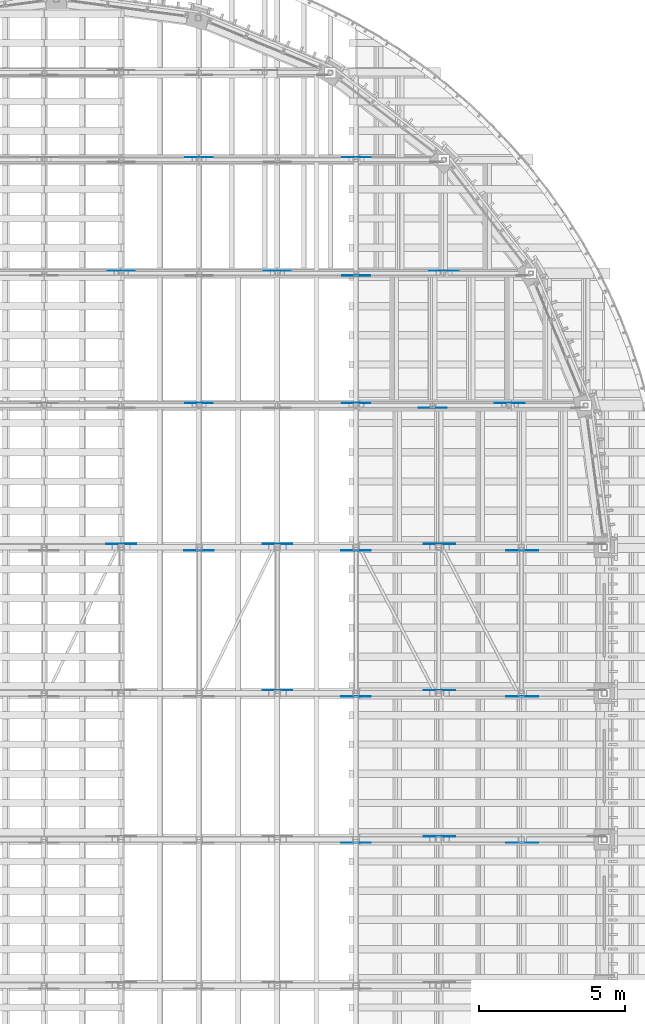
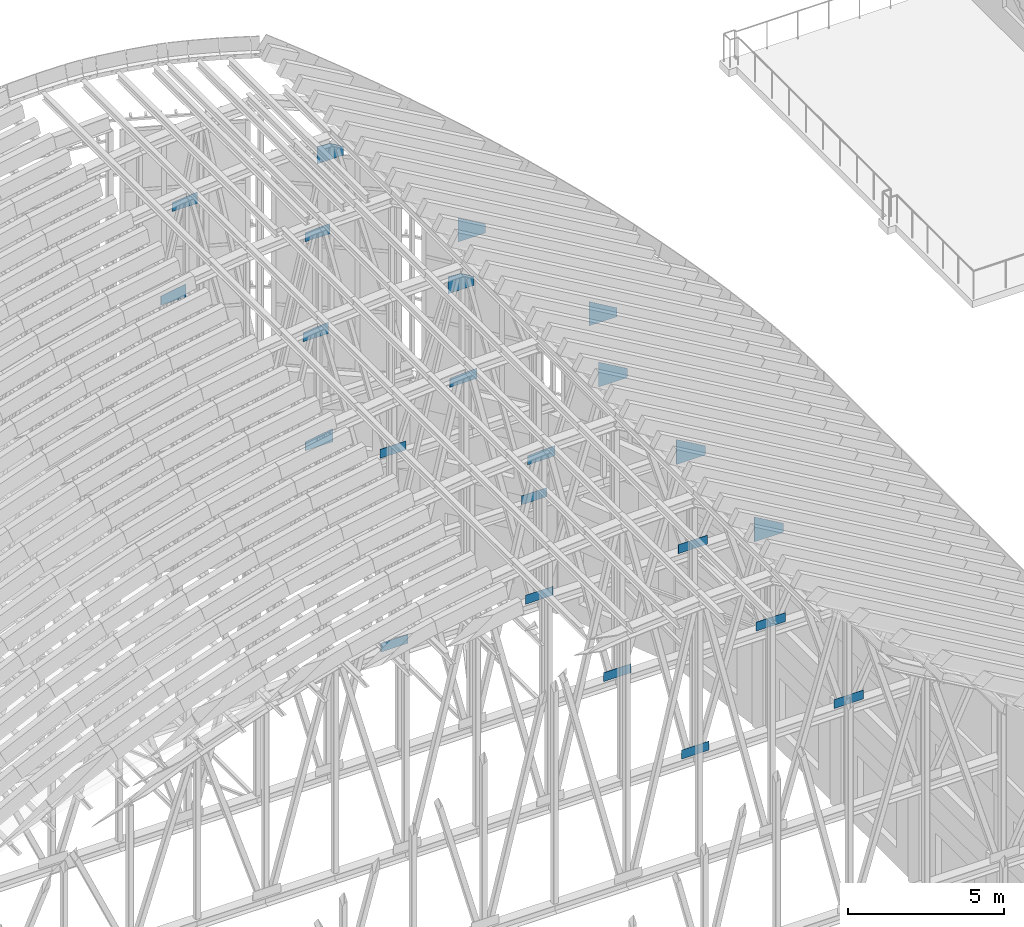
# One storey, part 63 of 105: 23 discrete accessories.
"""IFC4 building model written with IfcOpenShell, lengths in metres."""

from ifc_helpers import new_model, si_unit, direction, frame, origin, place, context, subcontext, project, spatial, polyline, outline, extrude, element, save


model = new_model("IFC4")

# Units and contexts
model_context = context("Model", 3, precision=1e-05, world=origin(), true_north=direction((0.0, 1.0)))
body_context = subcontext(model_context, "Body", "Model", "MODEL_VIEW")
ifc_project = project(units=[si_unit("LENGTHUNIT", "METRE"), si_unit("AREAUNIT", "SQUARE_METRE"), si_unit("VOLUMEUNIT", "CUBIC_METRE"), si_unit("PLANEANGLEUNIT", "RADIAN"), si_unit("MASSUNIT", "GRAM", prefix="KILO")], contexts=[model_context])

# Site, building, storey
site_placement = place(None, origin())
site = spatial("IfcSite", under=ifc_project, at=site_placement, CompositionType="ELEMENT")
building_placement = place(site_placement, origin())
building = spatial("IfcBuilding", under=site, at=building_placement, Name="Wasatch Bagh Community Centre", CompositionType="ELEMENT")
storey_placement = place(building_placement, frame((0.0, 0.0, 16.800048828125)))
storey = spatial("IfcBuildingStorey", under=building, at=storey_placement, Name="L04", CompositionType="ELEMENT", Elevation=16.800048828125)

# Discrete accessories
discrete_accessory_1_placement = place(storey_placement, frame((45.747802734375, 54.885986328125, 8.071044921875), z_axis=(0.0, -1.0, 0.0), x_axis=(1.0, 0.0, 0.0)))
element("IfcDiscreteAccessory", 1, at=discrete_accessory_1_placement, inside=storey, Name="Gusset plate", PredefinedType="BRACKET", context=body_context, shape_type="SweptSolid", body=[
    extrude(outline(polyline([(0.0, 0.0), (1.01904296875, 0.0), (1.01904296875, 0.35009765625), (0.0, 0.35009765625), (0.0, 0.0)])), origin(), (0.0, 0.0, -1.0), 0.011962890625),
])
discrete_accessory_2_placement = place(storey_placement, frame((51.3984375, 54.885986328125, 8.071044921875), z_axis=(0.0, -1.0, 0.0), x_axis=(1.0, 0.0, 0.0)))
element("IfcDiscreteAccessory", 2, at=discrete_accessory_2_placement, inside=storey, Name="Gusset plate", PredefinedType="BRACKET", context=body_context, shape_type="SweptSolid", body=[
    extrude(outline(polyline([(0.0, 0.0), (1.083740234375, 0.0), (1.083740234375, 0.35009765625), (0.0, 0.35009765625), (0.0, 0.0)])), origin(), (0.0, 0.0, -1.0), 0.011962890625),
])
discrete_accessory_3_placement = place(storey_placement, frame((48.56640625, 55.114013671875, 16.436767578125), z_axis=(0.0, 1.0, 0.0), x_axis=(0.865538231451, 0.0, -0.500842859484)))
element("IfcDiscreteAccessory", 3, at=discrete_accessory_3_placement, inside=storey, Name="Gusset plate", PredefinedType="BRACKET", context=body_context, shape_type="SweptSolid", body=[
    extrude(outline(polyline([(0.0, 0.0), (0.5971379245240133, 0.0), (1.25255662563071, 0.0032267911189696186), (1.427900536885637, 0.30624969734483143), (0.49093849629604763, 0.8484218748234554), (0.0, 0.0)])), origin(), (0.0, 0.0, -1.0), 0.011962890625),
])
discrete_accessory_4_placement = place(storey_placement, frame((45.747802734375, 59.885986328125, 8.071044921875), z_axis=(0.0, -1.0, 0.0), x_axis=(1.0, 0.0, 0.0)))
element("IfcDiscreteAccessory", 4, at=discrete_accessory_4_placement, inside=storey, Name="Gusset plate", PredefinedType="BRACKET", context=body_context, shape_type="SweptSolid", body=[
    extrude(outline(polyline([(0.0, 0.0), (1.01904296875, 0.0), (1.01904296875, 0.35009765625), (0.0, 0.35009765625), (0.0, 0.0)])), origin(), (0.0, 0.0, -1.0), 0.011962890625),
])
discrete_accessory_5_placement = place(storey_placement, frame((51.3984375, 59.885986328125, 8.071044921875), z_axis=(0.0, -1.0, 0.0), x_axis=(1.0, 0.0, 0.0)))
element("IfcDiscreteAccessory", 5, at=discrete_accessory_5_placement, inside=storey, Name="Gusset plate", PredefinedType="BRACKET", context=body_context, shape_type="SweptSolid", body=[
    extrude(outline(polyline([(0.0, 0.0), (1.083740234375, 0.0), (1.083740234375, 0.35009765625), (0.0, 0.35009765625), (0.0, 0.0)])), origin(), (0.0, 0.0, -1.0), 0.011962890625),
])
discrete_accessory_6_placement = place(storey_placement, frame((43.059326171875, 60.114013671875, 17.7216796875), z_axis=(0.0, 1.0, 0.0), x_axis=(0.997003391419, 0.0, 0.077357853503)))
element("IfcDiscreteAccessory", 6, at=discrete_accessory_6_placement, inside=storey, Name="Gusset plate", PredefinedType="BRACKET", context=body_context, shape_type="SweptSolid", body=[
    extrude(outline(polyline([(0.0, 0.0), (0.5081144168966908, 0.0), (1.0105002169094446, 0.026491700501360058), (0.9794135404285474, 0.4271429657054703), (-0.02708280320389224, 0.3490485506091701), (0.0, 0.0)])), origin(), (0.0, 0.0, -1.0), 0.011962890625),
])
discrete_accessory_7_placement = place(storey_placement, frame((48.56640625, 60.114013671875, 16.436767578125), z_axis=(0.0, 1.0, 0.0), x_axis=(0.865538231451, 0.0, -0.500842859484)))
element("IfcDiscreteAccessory", 7, at=discrete_accessory_7_placement, inside=storey, Name="Gusset plate", PredefinedType="BRACKET", context=body_context, shape_type="SweptSolid", body=[
    extrude(outline(polyline([(0.0, 0.0), (0.5971379245240133, 0.0), (1.25255662563071, 0.0032267911189696186), (1.427900536885637, 0.30624969734483143), (0.49093849629604763, 0.8484218748234554), (0.0, 0.0)])), origin(), (0.0, 0.0, -1.0), 0.011962890625),
])
discrete_accessory_8_placement = place(storey_placement, frame((40.384033203125, 64.885986328125, 8.071044921875), z_axis=(0.0, -1.0, 0.0), x_axis=(1.0, 0.0, 0.0)))
element("IfcDiscreteAccessory", 8, at=discrete_accessory_8_placement, inside=storey, Name="Gusset plate", PredefinedType="BRACKET", context=body_context, shape_type="SweptSolid", body=[
    extrude(outline(polyline([(0.0, 0.0), (1.00732421875, 0.0), (1.00732421875, 0.35009765625), (0.0, 0.35009765625), (0.0, 0.0)])), origin(), (0.0, 0.0, -1.0), 0.011962890625),
])
discrete_accessory_9_placement = place(storey_placement, frame((45.747802734375, 64.885986328125, 8.071044921875), z_axis=(0.0, -1.0, 0.0), x_axis=(1.0, 0.0, 0.0)))
element("IfcDiscreteAccessory", 9, at=discrete_accessory_9_placement, inside=storey, Name="Gusset plate", PredefinedType="BRACKET", context=body_context, shape_type="SweptSolid", body=[
    extrude(outline(polyline([(0.0, 0.0), (1.01904296875, 0.0), (1.01904296875, 0.35009765625), (0.0, 0.35009765625), (0.0, 0.0)])), origin(), (0.0, 0.0, -1.0), 0.011962890625),
])
discrete_accessory_10_placement = place(storey_placement, frame((51.3984375, 64.885986328125, 8.071044921875), z_axis=(0.0, -1.0, 0.0), x_axis=(1.0, 0.0, 0.0)))
element("IfcDiscreteAccessory", 10, at=discrete_accessory_10_placement, inside=storey, Name="Gusset plate", PredefinedType="BRACKET", context=body_context, shape_type="SweptSolid", body=[
    extrude(outline(polyline([(0.0, 0.0), (1.083740234375, 0.0), (1.083740234375, 0.35009765625), (0.0, 0.35009765625), (0.0, 0.0)])), origin(), (0.0, 0.0, -1.0), 0.011962890625),
])
discrete_accessory_11_placement = place(storey_placement, frame((37.712158203125, 65.114013671875, 17.10888671875), z_axis=(0.0, 1.0, 0.0), x_axis=(0.983614840547, 0.0, 0.180282682076)))
element("IfcDiscreteAccessory", 11, at=discrete_accessory_11_placement, inside=storey, Name="Gusset plate", PredefinedType="BRACKET", context=body_context, shape_type="SweptSolid", body=[
    extrude(outline(polyline([(0.0, 0.0), (0.5227250902032334, 0.0), (1.0289938394058082, 0.024783030615625812), (0.9368278393408399, 0.5276369066177592), (-0.06311654445709872, 0.34436125032810855), (0.0, 0.0)])), origin(), (0.0, 0.0, -1.0), 0.011962890625),
])
discrete_accessory_12_placement = place(storey_placement, frame((43.059326171875, 65.114013671875, 17.7216796875), z_axis=(0.0, 1.0, 0.0), x_axis=(0.997003391419, 0.0, 0.077357853503)))
element("IfcDiscreteAccessory", 12, at=discrete_accessory_12_placement, inside=storey, Name="Gusset plate", PredefinedType="BRACKET", context=body_context, shape_type="SweptSolid", body=[
    extrude(outline(polyline([(0.0, 0.0), (0.5081144168966908, 0.0), (1.0105002169094446, 0.026491700501360058), (0.9794135404285474, 0.4271429657054703), (-0.02708280320389224, 0.3490485506091701), (0.0, 0.0)])), origin(), (0.0, 0.0, -1.0), 0.011962890625),
])
discrete_accessory_13_placement = place(storey_placement, frame((48.56640625, 65.114013671875, 16.436767578125), z_axis=(0.0, 1.0, 0.0), x_axis=(0.865538231451, 0.0, -0.500842859484)))
element("IfcDiscreteAccessory", 13, at=discrete_accessory_13_placement, inside=storey, Name="Gusset plate", PredefinedType="BRACKET", context=body_context, shape_type="SweptSolid", body=[
    extrude(outline(polyline([(0.0, 0.0), (0.5971379245240133, 0.0), (1.25255662563071, 0.0032267911189696186), (1.427900536885637, 0.30624969734483143), (0.49093849629604763, 0.8484218748234554), (0.0, 0.0)])), origin(), (0.0, 0.0, -1.0), 0.011962890625),
])
discrete_accessory_14_placement = place(storey_placement, frame((48.40771484375, 69.76416015625, 8.071044921875), z_axis=(0.0, -1.0, 0.0), x_axis=(1.0, 0.0, 0.0)))
element("IfcDiscreteAccessory", 14, at=discrete_accessory_14_placement, inside=storey, Name="Gusset plate", PredefinedType="BRACKET", context=body_context, shape_type="SweptSolid", body=[
    extrude(outline(polyline([(0.0, 0.0), (0.947509765625, 0.0), (0.947509765625, 0.35009765625), (0.0, 0.35009765625), (0.0, 0.0)])), origin(), (0.0, 0.0, -1.0), 0.011962890625),
])
discrete_accessory_15_placement = place(storey_placement, frame((40.419921875, 69.941650390625, 17.503173828125), z_axis=(0.0, 1.0, 0.0), x_axis=(0.991646380656, 0.0, 0.128986261792)))
element("IfcDiscreteAccessory", 15, at=discrete_accessory_15_placement, inside=storey, Name="Gusset plate", PredefinedType="BRACKET", context=body_context, shape_type="SweptSolid", body=[
    extrude(outline(polyline([(0.0, 0.0), (0.4731911399095677, 0.0), (0.9367594512221302, 0.022875663143541308), (0.8789423670790653, 0.46737340603542477), (-0.045157787941805645, 0.3471730736966018), (0.0, 0.0)])), origin(), (0.0, 0.0, -1.0), 0.011962890625),
])
discrete_accessory_16_placement = place(storey_placement, frame((45.78564453125, 69.941650390625, 17.8271484375), z_axis=(0.0, 1.0, 0.0), x_axis=(0.996610498388, 0.0, -0.082264904441)))
element("IfcDiscreteAccessory", 16, at=discrete_accessory_16_placement, inside=storey, Name="Gusset plate", PredefinedType="BRACKET", context=body_context, shape_type="SweptSolid", body=[
    extrude(outline(polyline([(0.0, 0.0), (0.4659347553543316, 0.0), (0.9831356597317429, 0.2441687994388374), (1.0119364099681936, 0.5930797991186422), (0.05547257472320572, 0.6720308097040592), (0.0, 0.0)])), origin(), (0.0, 0.0, -1.0), 0.011962890625),
])
discrete_accessory_17_placement = place(storey_placement, frame((51.0048828125, 69.941650390625, 15.02490234375), z_axis=(0.0, 1.0, 0.0), x_axis=(0.862991411433, 0.0, -0.50521859011)))
element("IfcDiscreteAccessory", 17, at=discrete_accessory_17_placement, inside=storey, Name="Gusset plate", PredefinedType="BRACKET", context=body_context, shape_type="SweptSolid", body=[
    extrude(outline(polyline([(0.0, 0.0), (0.5629718179272423, 2.7755575615628914e-17), (1.1921435716748974, 2.1175001262419e-06), (1.369019415966422, 0.30213338800667877), (0.4811664355517691, 0.8219066152343524), (0.0, 0.0)])), origin(), (0.0, 0.0, -1.0), 0.011962890625),
])
discrete_accessory_18_placement = place(storey_placement, frame((45.7861328125, 74.286376953125, 8.071044921875), z_axis=(0.0, -1.0, 0.0), x_axis=(1.0, 0.0, 0.0)))
element("IfcDiscreteAccessory", 18, at=discrete_accessory_18_placement, inside=storey, Name="Gusset plate", PredefinedType="BRACKET", context=body_context, shape_type="SweptSolid", body=[
    extrude(outline(polyline([(0.0, 0.0), (0.947021484375, 0.0), (0.947021484375, 0.35009765625), (0.0, 0.35009765625), (0.0, 0.0)])), origin(), (0.0, 0.0, -1.0), 0.011962890625),
])
discrete_accessory_19_placement = place(storey_placement, frame((37.753173828125, 74.463623046875, 17.129150390625), z_axis=(0.0, 1.0, 0.0), x_axis=(0.983543485497, 0.0, 0.180671558739)))
element("IfcDiscreteAccessory", 19, at=discrete_accessory_19_placement, inside=storey, Name="Gusset plate", PredefinedType="BRACKET", context=body_context, shape_type="SweptSolid", body=[
    extrude(outline(polyline([(0.0, 0.0), (0.4810611205574985, -1.3877787807814457e-17), (0.9477339468143362, 0.022924180932088256), (0.8576628230483057, 0.5132551861527823), (-0.06320857999839456, 0.34409614617103557), (0.0, 0.0)])), origin(), (0.0, 0.0, -1.0), 0.011962890625),
])
discrete_accessory_20_placement = place(storey_placement, frame((43.099609375, 74.463623046875, 17.737548828125), z_axis=(0.0, 1.0, 0.0), x_axis=(0.997011341026, 0.0, 0.077255329043)))
element("IfcDiscreteAccessory", 20, at=discrete_accessory_20_placement, inside=storey, Name="Gusset plate", PredefinedType="BRACKET", context=body_context, shape_type="SweptSolid", body=[
    extrude(outline(polyline([(0.0, 0.0), (0.46770640870557106, 0.0), (0.9305869081519527, 0.02435817419314274), (0.8998620714793922, 0.4208746474674026), (-0.027046909630725403, 0.34905133374787517), (0.0, 0.0)])), origin(), (0.0, 0.0, -1.0), 0.011962890625),
])
discrete_accessory_21_placement = place(storey_placement, frame((48.764892578125, 74.463623046875, 16.3369140625), z_axis=(0.0, 1.0, 0.0), x_axis=(0.865406152333, 0.0, -0.501071044368)))
element("IfcDiscreteAccessory", 21, at=discrete_accessory_21_placement, inside=storey, Name="Gusset plate", PredefinedType="BRACKET", context=body_context, shape_type="SweptSolid", body=[
    extrude(outline(polyline([(0.0, 0.0), (0.5535018499217697, 0.0), (1.16709790334497, 0.002444051484224441), (1.3425217015929964, 0.30542071712034047), (0.46950944049925064, 0.8108957062143748), (0.0, 0.0)])), origin(), (0.0, 0.0, -1.0), 0.011962890625),
])
discrete_accessory_22_placement = place(storey_placement, frame((40.419921875, 78.346923828125, 17.503173828125), z_axis=(0.0, 1.0, 0.0), x_axis=(0.991646380656, 0.0, 0.128986261792)))
element("IfcDiscreteAccessory", 22, at=discrete_accessory_22_placement, inside=storey, Name="Gusset plate", PredefinedType="BRACKET", context=body_context, shape_type="SweptSolid", body=[
    extrude(outline(polyline([(0.0, 0.0), (0.4731911399095677, 0.0), (0.9367594512221302, 0.022875663143541308), (0.8789423670790653, 0.46737340603542477), (-0.045157787941805645, 0.3471730736966018), (0.0, 0.0)])), origin(), (0.0, 0.0, -1.0), 0.011962890625),
])
discrete_accessory_23_placement = place(storey_placement, frame((45.78564453125, 78.346923828125, 17.8271484375), z_axis=(0.0, 1.0, 0.0), x_axis=(0.996610498388, 0.0, -0.082264904441)))
element("IfcDiscreteAccessory", 23, at=discrete_accessory_23_placement, inside=storey, Name="Gusset plate", PredefinedType="BRACKET", context=body_context, shape_type="SweptSolid", body=[
    extrude(outline(polyline([(0.0, 0.0), (0.4659347553543316, 0.0), (1.000220922101177, 0.25231236897975107), (1.0290216723376278, 0.6012233686595558), (0.05625585872545229, 0.681520020992422), (0.0, 0.0)])), origin(), (0.0, 0.0, -1.0), 0.011962890625),
])

save(model, "model.ifc")
